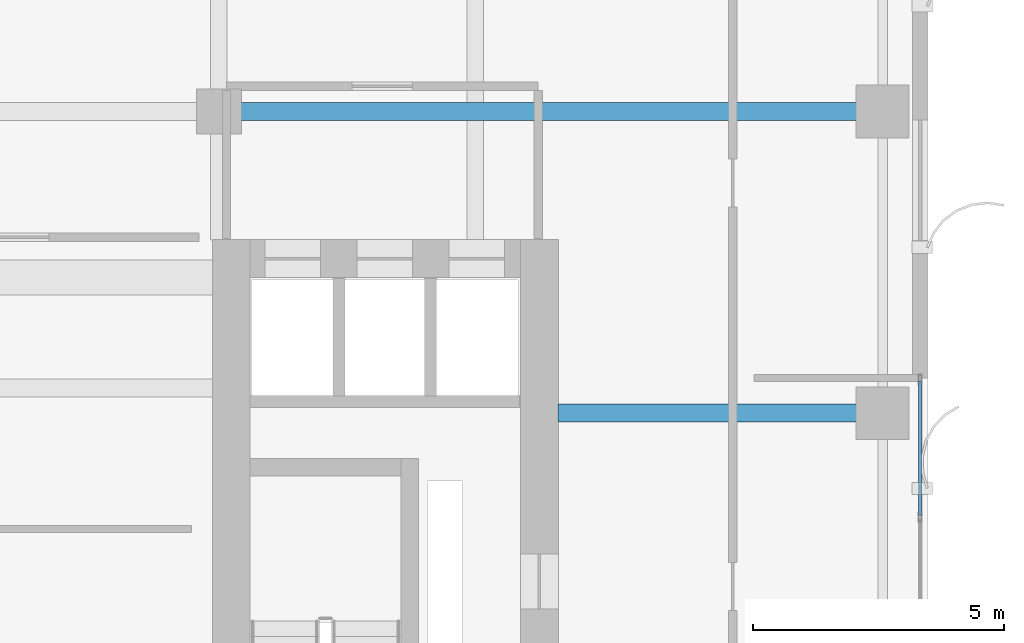
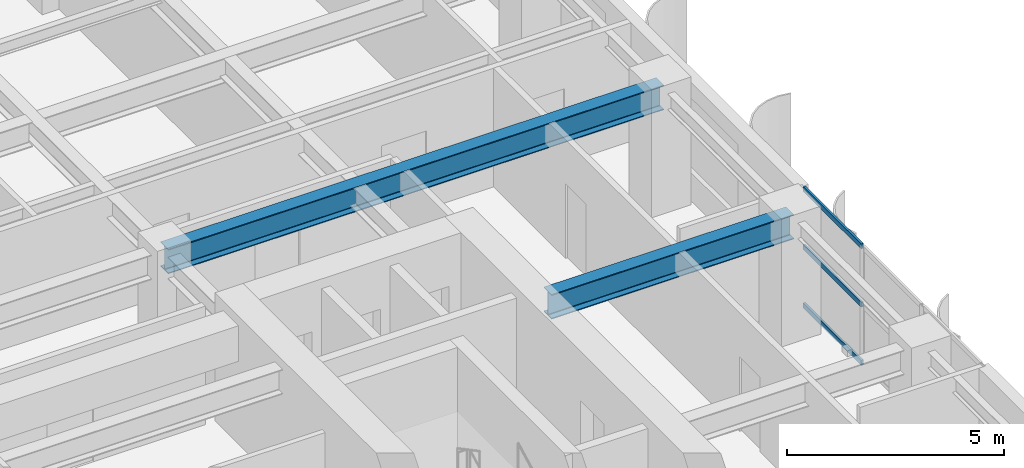
# One storey, part 12 of 23: 3 members, 2 beams, 1 element without a shape of its own.
"""IFC4 building model written with IfcOpenShell, lengths in metres."""

from ifc_helpers import new_model, si_unit, direction, frame, origin, origin_2d, place, context, subcontext, project, spatial, hollow_rectangle, i_section, extrude, source, transform, mapped, material, layer, layer_set, material_profile, profile_set, type_object, element, aggregate, save


model = new_model("IFC4")

# Units and contexts
model_context = context("Model", 3, precision=1e-05, world=origin(), true_north=direction((0.0, 1.0)))
body_context = subcontext(model_context, "Body", "Model", "MODEL_VIEW")
ifc_project = project(units=[si_unit("LENGTHUNIT", "METRE"), si_unit("AREAUNIT", "SQUARE_METRE"), si_unit("VOLUMEUNIT", "CUBIC_METRE"), si_unit("PLANEANGLEUNIT", "RADIAN"), si_unit("MASSUNIT", "GRAM", prefix="KILO")], contexts=[model_context])

# Site, building, storey
site_placement = place(None, origin())
site = spatial("IfcSite", under=ifc_project, at=site_placement, CompositionType="ELEMENT")
building_placement = place(site_placement, origin())
building = spatial("IfcBuilding", under=site, at=building_placement, Name="Khoralis Quay Care Tower", CompositionType="ELEMENT")
storey_placement = place(building_placement, frame((0.0, 0.0, 83.699951171875)))
storey = spatial("IfcBuildingStorey", under=building, at=storey_placement, Name="L21", CompositionType="ELEMENT", Elevation=83.699951171875)

# Beams
ifc_material_1 = material(Name="Steel S355", Category="steel")
ifc_material_profile_1 = material_profile(ifc_material_1, i_section(OverallWidth=0.35498046875, OverallDepth=0.695068359375, WebThickness=0.015380859375, FlangeThickness=0.02490234375, FilletRadius=0.02001953125, at=origin_2d()), Name="Steel S355")
ifc_profile_set_1 = profile_set([ifc_material_profile_1], Name="Steel S355")
beam_type = type_object("IfcBeamType", Name="BM-W690X217", PredefinedType="BEAM", material=ifc_profile_set_1)
shared_shape_1 = source(origin(), body_context, "Body", "SweptSolid", [
    extrude(i_section(OverallWidth=0.35498046875, OverallDepth=0.695068359375, WebThickness=0.015380859375, FlangeThickness=0.02490234375, FilletRadius=0.02001953125, at=origin_2d()), origin(), (0.0, 0.0, 1.0), 13.2001953125),
])
beam_1_placement = place(storey_placement, frame((30.89990234375, 30.0, 2.992431640625), z_axis=(1.0, 0.0, 0.0), x_axis=(0.0, 1.0, 0.0)))
element("IfcBeam", 1, at=beam_1_placement, inside=storey, type_object=beam_type, Name="BM-TGXE-L21-300", PredefinedType="BEAM", context=body_context, shape_type="MappedRepresentation", body=[
    mapped(shared_shape_1, transform((0.0, 0.0, 0.0), scale=1.0)),
])
shared_shape_2 = source(origin(), body_context, "Body", "SweptSolid", [
    extrude(i_section(OverallWidth=0.35498046875, OverallDepth=0.695068359375, WebThickness=0.015380859375, FlangeThickness=0.02490234375, FilletRadius=0.02001953125, at=origin_2d()), origin(), (0.0, 0.0, 1.0), 6.4521484375),
])
beam_2_placement = place(storey_placement, frame((37.64794921875, 24.0, 2.992431640625), z_axis=(1.0, 0.0, 0.0), x_axis=(0.0, 1.0, 0.0)))
element("IfcBeam", 2, at=beam_2_placement, inside=storey, type_object=beam_type, Name="BM-TGXE-L21-240", PredefinedType="BEAM", context=body_context, shape_type="MappedRepresentation", body=[
    mapped(shared_shape_2, transform((0.0, 0.0, 0.0), scale=1.0)),
])

# Curtain wall, members
ifc_material_2 = material(Name="Pale anodised aluminium", Category="aluminium")
ifc_layer = layer(ifc_material_2, 0.169921875)
ifc_layer_set = layer_set([ifc_layer], Name="Pale anodised aluminium")
curtain_wall_type = type_object("IfcCurtainWallType", Name="CW-SYS-Z2", PredefinedType="NOTDEFINED", material=ifc_layer_set)
curtain_wall_placement = place(storey_placement, origin())
curtain_wall = element("IfcCurtainWall", 3, at=curtain_wall_placement, inside=storey, type_object=curtain_wall_type, Name="L21 Unitised Curtain Wall CW-L21-P1-E5", PredefinedType="NOTDEFINED")
ifc_material_profile_2 = material_profile(ifc_material_2, hollow_rectangle(XDim=0.06005859375, YDim=0.139892578125, WallThickness=0.00390625, at=origin_2d()), Name="Pale anodised aluminium")
ifc_profile_set_2 = profile_set([ifc_material_profile_2], Name="Pale anodised aluminium")
member_type = type_object("IfcMemberType", Name="CW-TRN-140", PredefinedType="USERDEFINED", material=ifc_profile_set_2)
shared_shape_3 = source(origin(), body_context, "Body", "SweptSolid", [
    extrude(hollow_rectangle(XDim=0.06005859375, YDim=0.139892578125, WallThickness=0.00390625, at=origin_2d()), origin(), (0.0, 0.0, 1.0), 2.676513671875),
])
member_1_placement = place(storey_placement, frame((44.85009765625, 21.96337890625, 0.030029296875), z_axis=(0.0, 1.0, 0.0), x_axis=(-1.0, 0.0, 0.0)))
member_1 = element("IfcMember", 4, at=member_1_placement, type_object=member_type, Name="CW2 transom 3.1", ObjectType="TRANSOM", PredefinedType="USERDEFINED", context=body_context, shape_type="MappedRepresentation", body=[
    mapped(shared_shape_3, transform((0.0, 0.0, 0.0), scale=1.0)),
])
member_2_placement = place(storey_placement, frame((44.85009765625, 21.96337890625, 1.670166015625), z_axis=(0.0, 1.0, 0.0), x_axis=(-1.0, 0.0, 0.0)))
member_2 = element("IfcMember", 5, at=member_2_placement, type_object=member_type, Name="CW2 transom 3.2", ObjectType="TRANSOM", PredefinedType="USERDEFINED", context=body_context, shape_type="MappedRepresentation", body=[
    mapped(shared_shape_3, transform((0.0, 0.0, 0.0), scale=1.0)),
])
member_3_placement = place(storey_placement, frame((44.85009765625, 21.96337890625, 3.31005859375), z_axis=(0.0, 1.0, 0.0), x_axis=(-1.0, 0.0, 0.0)))
member_3 = element("IfcMember", 6, at=member_3_placement, type_object=member_type, Name="CW2 transom 3.3", ObjectType="TRANSOM", PredefinedType="USERDEFINED", context=body_context, shape_type="MappedRepresentation", body=[
    mapped(shared_shape_3, transform((0.0, 0.0, 0.0), scale=1.0)),
])
aggregate(curtain_wall, [member_1, member_2, member_3])

save(model, "model.ifc")
